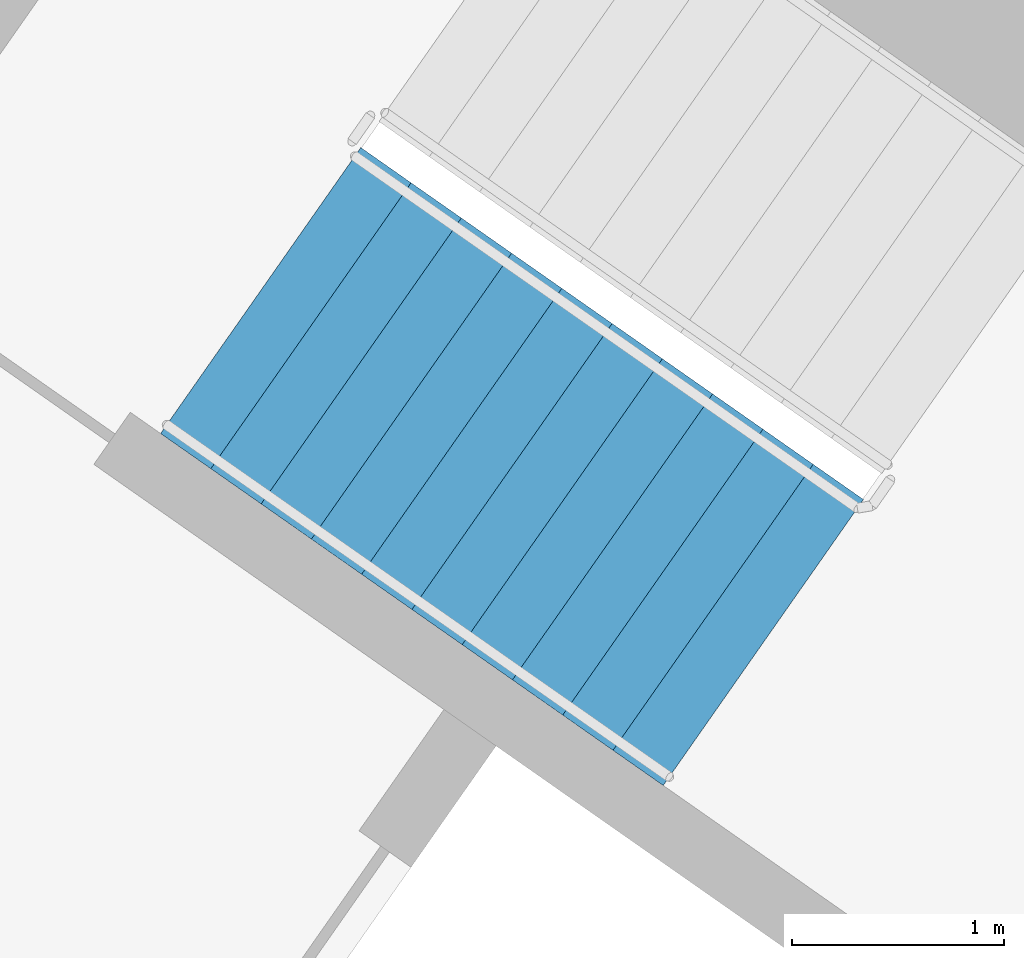
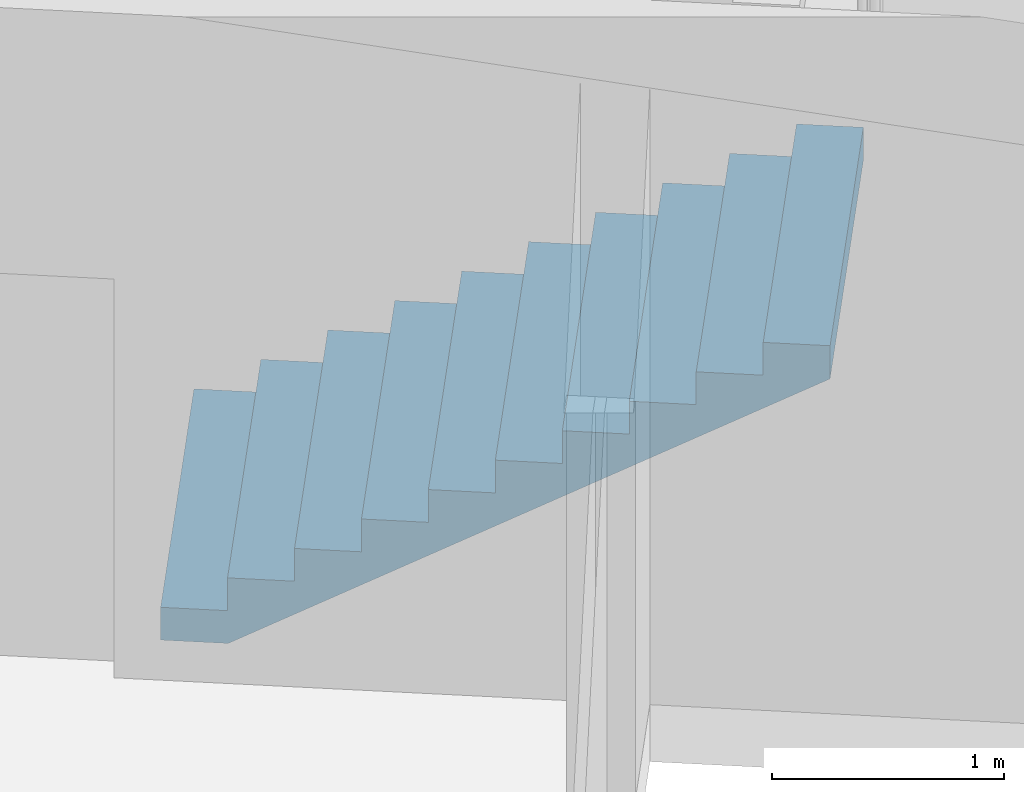
# One storey, part 14 of 30: 1 stair flight, 1 element without a shape of its own.
"""IFC4 building model written with IfcOpenShell, lengths in metres."""

from ifc_helpers import new_model, si_unit, direction, frame, origin, place, context, subcontext, project, spatial, faceted_brep, material, type_object, element, aggregate, save


model = new_model("IFC4")

# Units and contexts
model_context = context("Model", 3, precision=1e-05, world=origin(), true_north=direction((0.0, 1.0)))
body_context = subcontext(model_context, "Body", "Model", "MODEL_VIEW")
ifc_project = project(units=[si_unit("LENGTHUNIT", "METRE"), si_unit("AREAUNIT", "SQUARE_METRE"), si_unit("VOLUMEUNIT", "CUBIC_METRE"), si_unit("PLANEANGLEUNIT", "RADIAN"), si_unit("MASSUNIT", "GRAM", prefix="KILO")], contexts=[model_context])

# Site, building, storey
site_placement = place(None, origin())
site = spatial("IfcSite", under=ifc_project, at=site_placement, CompositionType="ELEMENT")
building_placement = place(site_placement, origin())
building = spatial("IfcBuilding", under=site, at=building_placement, Name="Qamariyya Broadcast Tower", CompositionType="ELEMENT")
storey_placement = place(building_placement, frame((0.0, 0.0, 67.10009765625)))
storey = spatial("IfcBuildingStorey", under=building, at=storey_placement, Name="L13", CompositionType="ELEMENT", Elevation=67.10009765625)

# Stair, stair flight
ifc_material = material(Name="Concrete C50/60", Category="concrete")
stair_type = type_object("IfcStairType", Name="Exit stair 22 risers of 173 mm", PredefinedType="HALF_TURN_STAIR", material=ifc_material)
stair_placement = place(storey_placement, origin())
stair = element("IfcStair", 1, at=stair_placement, inside=storey, type_object=stair_type, Name="L13 Stair W2", PredefinedType="HALF_TURN_STAIR")
stair_flight_type = type_object("IfcStairFlightType", Name="Exit stair flight 11 risers of 173 mm", PredefinedType="STRAIGHT", material=ifc_material)
stair_flight_placement = place(storey_placement, frame((-41.59130859375, -49.15966796875, 0.0), z_axis=(0.0, 0.0, 1.0), x_axis=(0.819152044289, -0.573576436351, 0.0)))
stair_flight = element("IfcStairFlight", 2, at=stair_flight_placement, type_object=stair_flight_type, Name="ST-W2 flight 1", NumberOfRisers=11, NumberOfTreads=10, PredefinedType="STRAIGHT", RiserHeight=0.172727273, TreadLength=0.29, context=body_context, shape_type="Brep", body=[
    faceted_brep([(0.0, 0.824951171875, 0.0), (0.0, 0.824951171875, 0.172607421875), (0.2900390625, 0.824951171875, 0.172607421875), (0.2900390625, 0.824951171875, 0.345458984375), (0.580078125, 0.824951171875, 0.345458984375), (0.580078125, 0.824951171875, 0.51806640625), (0.8701171875, 0.824951171875, 0.51806640625), (0.8701171875, 0.824951171875, 0.69091796875), (1.159912109375, 0.824951171875, 0.69091796875), (1.159912109375, 0.824951171875, 0.863525390625), (1.449951171875, 0.824951171875, 0.863525390625), (1.449951171875, 0.824951171875, 1.036376953125), (1.739990234375, 0.824951171875, 1.036376953125), (1.739990234375, 0.824951171875, 1.208984375), (2.030029296875, 0.824951171875, 1.208984375), (2.030029296875, 0.824951171875, 1.3818359375), (2.320068359375, 0.824951171875, 1.3818359375), (2.320068359375, 0.824951171875, 1.554443359375), (2.610107421875, 0.824951171875, 1.554443359375), (2.610107421875, 0.824951171875, 1.727294921875), (2.89990234375, 0.824951171875, 1.727294921875), (2.89990234375, 0.824951171875, 1.552734375), (0.29296875, 0.824951171875, 0.0), (0.29296875, -0.824951171875, 0.0), (2.89990234375, -0.824951171875, 1.552734375), (2.89990234375, -0.824951171875, 1.727294921875), (2.610107421875, -0.824951171875, 1.727294921875), (2.610107421875, -0.824951171875, 1.554443359375), (2.320068359375, -0.824951171875, 1.554443359375), (2.320068359375, -0.824951171875, 1.3818359375), (2.030029296875, -0.824951171875, 1.3818359375), (2.030029296875, -0.824951171875, 1.208984375), (1.739990234375, -0.824951171875, 1.208984375), (1.739990234375, -0.824951171875, 1.036376953125), (1.449951171875, -0.824951171875, 1.036376953125), (1.449951171875, -0.824951171875, 0.863525390625), (1.159912109375, -0.824951171875, 0.863525390625), (1.159912109375, -0.824951171875, 0.69091796875), (0.8701171875, -0.824951171875, 0.69091796875), (0.8701171875, -0.824951171875, 0.51806640625), (0.580078125, -0.824951171875, 0.51806640625), (0.580078125, -0.824951171875, 0.345458984375), (0.2900390625, -0.824951171875, 0.345458984375), (0.2900390625, -0.824951171875, 0.172607421875), (0.0, -0.824951171875, 0.172607421875), (0.0, -0.824951171875, 0.0), (0.0, 0.10009765625, 0.0), (0.0, 0.086669921875, 0.0), (0.0, 0.0732421875, 0.0), (0.0, 0.06005859375, 0.0), (0.0, 0.046630859375, 0.0), (0.0, 0.033447265625, 0.0), (0.0, 0.02001953125, 0.0), (0.0, 0.006591796875, 0.0), (0.0, -0.006591796875, 0.0), (0.0, -0.02001953125, 0.0), (0.0, -0.033447265625, 0.0), (0.0, -0.046630859375, 0.0), (0.0, -0.06005859375, 0.0), (0.0, -0.0732421875, 0.0), (0.0, -0.086669921875, 0.0), (0.0, -0.10009765625, 0.0), (0.0, -0.10009765625, 0.172607421875), (0.0, -0.086669921875, 0.172607421875), (0.0, -0.0732421875, 0.172607421875), (0.0, -0.06005859375, 0.172607421875), (0.0, -0.046630859375, 0.172607421875), (0.0, -0.033447265625, 0.172607421875), (0.0, -0.02001953125, 0.172607421875), (0.0, -0.006591796875, 0.172607421875), (0.0, 0.006591796875, 0.172607421875), (0.0, 0.02001953125, 0.172607421875), (0.0, 0.033447265625, 0.172607421875), (0.0, 0.046630859375, 0.172607421875), (0.0, 0.06005859375, 0.172607421875), (0.0, 0.0732421875, 0.172607421875), (0.0, 0.086669921875, 0.172607421875), (0.0, 0.10009765625, 0.172607421875), (0.2900390625, -0.10009765625, 0.172607421875), (0.2900390625, -0.086669921875, 0.172607421875), (0.2900390625, -0.0732421875, 0.172607421875), (0.2900390625, -0.06005859375, 0.172607421875), (0.2900390625, -0.046630859375, 0.172607421875), (0.2900390625, -0.033447265625, 0.172607421875), (0.2900390625, -0.02001953125, 0.172607421875), (0.2900390625, -0.006591796875, 0.172607421875), (0.2900390625, 0.006591796875, 0.172607421875), (0.2900390625, 0.02001953125, 0.172607421875), (0.2900390625, 0.033447265625, 0.172607421875), (0.2900390625, 0.046630859375, 0.172607421875), (0.2900390625, 0.06005859375, 0.172607421875), (0.2900390625, 0.0732421875, 0.172607421875), (0.2900390625, 0.086669921875, 0.172607421875), (0.2900390625, 0.10009765625, 0.172607421875), (0.2900390625, -0.10009765625, 0.345458984375), (0.2900390625, -0.086669921875, 0.345458984375), (0.2900390625, -0.0732421875, 0.345458984375), (0.2900390625, -0.06005859375, 0.345458984375), (0.2900390625, -0.046630859375, 0.345458984375), (0.2900390625, -0.033447265625, 0.345458984375), (0.2900390625, -0.02001953125, 0.345458984375), (0.2900390625, -0.006591796875, 0.345458984375), (0.2900390625, 0.006591796875, 0.345458984375), (0.2900390625, 0.02001953125, 0.345458984375), (0.2900390625, 0.033447265625, 0.345458984375), (0.2900390625, 0.046630859375, 0.345458984375), (0.2900390625, 0.06005859375, 0.345458984375), (0.2900390625, 0.0732421875, 0.345458984375), (0.2900390625, 0.086669921875, 0.345458984375), (0.2900390625, 0.10009765625, 0.345458984375), (0.580078125, -0.10009765625, 0.345458984375), (0.580078125, -0.086669921875, 0.345458984375), (0.580078125, -0.0732421875, 0.345458984375), (0.580078125, -0.06005859375, 0.345458984375), (0.580078125, -0.046630859375, 0.345458984375), (0.580078125, -0.033447265625, 0.345458984375), (0.580078125, -0.02001953125, 0.345458984375), (0.580078125, -0.006591796875, 0.345458984375), (0.580078125, 0.006591796875, 0.345458984375), (0.580078125, 0.02001953125, 0.345458984375), (0.580078125, 0.033447265625, 0.345458984375), (0.580078125, 0.046630859375, 0.345458984375), (0.580078125, 0.06005859375, 0.345458984375), (0.580078125, 0.0732421875, 0.345458984375), (0.580078125, 0.086669921875, 0.345458984375), (0.580078125, 0.10009765625, 0.345458984375), (0.580078125, -0.10009765625, 0.51806640625), (0.580078125, -0.086669921875, 0.51806640625), (0.580078125, -0.0732421875, 0.51806640625), (0.580078125, -0.06005859375, 0.51806640625), (0.580078125, -0.046630859375, 0.51806640625), (0.580078125, -0.033447265625, 0.51806640625), (0.580078125, -0.02001953125, 0.51806640625), (0.580078125, -0.006591796875, 0.51806640625), (0.580078125, 0.006591796875, 0.51806640625), (0.580078125, 0.02001953125, 0.51806640625), (0.580078125, 0.033447265625, 0.51806640625), (0.580078125, 0.046630859375, 0.51806640625), (0.580078125, 0.06005859375, 0.51806640625), (0.580078125, 0.0732421875, 0.51806640625), (0.580078125, 0.086669921875, 0.51806640625), (0.580078125, 0.10009765625, 0.51806640625), (0.8701171875, -0.10009765625, 0.51806640625), (0.8701171875, -0.086669921875, 0.51806640625), (0.8701171875, -0.0732421875, 0.51806640625), (0.8701171875, -0.06005859375, 0.51806640625), (0.8701171875, -0.046630859375, 0.51806640625), (0.8701171875, -0.033447265625, 0.51806640625), (0.8701171875, -0.02001953125, 0.51806640625), (0.8701171875, -0.006591796875, 0.51806640625), (0.8701171875, 0.006591796875, 0.51806640625), (0.8701171875, 0.02001953125, 0.51806640625), (0.8701171875, 0.033447265625, 0.51806640625), (0.8701171875, 0.046630859375, 0.51806640625), (0.8701171875, 0.06005859375, 0.51806640625), (0.8701171875, 0.0732421875, 0.51806640625), (0.8701171875, 0.086669921875, 0.51806640625), (0.8701171875, 0.10009765625, 0.51806640625), (0.8701171875, -0.10009765625, 0.69091796875), (0.8701171875, -0.086669921875, 0.69091796875), (0.8701171875, -0.0732421875, 0.69091796875), (0.8701171875, -0.06005859375, 0.69091796875), (0.8701171875, -0.046630859375, 0.69091796875), (0.8701171875, -0.033447265625, 0.69091796875), (0.8701171875, -0.02001953125, 0.69091796875), (0.8701171875, -0.006591796875, 0.69091796875), (0.8701171875, 0.006591796875, 0.69091796875), (0.8701171875, 0.02001953125, 0.69091796875), (0.8701171875, 0.033447265625, 0.69091796875), (0.8701171875, 0.046630859375, 0.69091796875), (0.8701171875, 0.06005859375, 0.69091796875), (0.8701171875, 0.0732421875, 0.69091796875), (0.8701171875, 0.086669921875, 0.69091796875), (0.8701171875, 0.10009765625, 0.69091796875), (1.159912109375, -0.10009765625, 0.69091796875), (1.159912109375, -0.086669921875, 0.69091796875), (1.159912109375, -0.0732421875, 0.69091796875), (1.159912109375, -0.06005859375, 0.69091796875), (1.159912109375, -0.046630859375, 0.69091796875), (1.159912109375, -0.033447265625, 0.69091796875), (1.159912109375, -0.02001953125, 0.69091796875), (1.159912109375, -0.006591796875, 0.69091796875), (1.159912109375, 0.006591796875, 0.69091796875), (1.159912109375, 0.02001953125, 0.69091796875), (1.159912109375, 0.033447265625, 0.69091796875), (1.159912109375, 0.046630859375, 0.69091796875), (1.159912109375, 0.06005859375, 0.69091796875), (1.159912109375, 0.0732421875, 0.69091796875), (1.159912109375, 0.086669921875, 0.69091796875), (1.159912109375, 0.10009765625, 0.69091796875), (1.159912109375, -0.10009765625, 0.863525390625), (1.159912109375, -0.086669921875, 0.863525390625), (1.159912109375, -0.0732421875, 0.863525390625), (1.159912109375, -0.06005859375, 0.863525390625), (1.159912109375, -0.046630859375, 0.863525390625), (1.159912109375, -0.033447265625, 0.863525390625), (1.159912109375, -0.02001953125, 0.863525390625), (1.159912109375, -0.006591796875, 0.863525390625), (1.159912109375, 0.006591796875, 0.863525390625), (1.159912109375, 0.02001953125, 0.863525390625), (1.159912109375, 0.033447265625, 0.863525390625), (1.159912109375, 0.046630859375, 0.863525390625), (1.159912109375, 0.06005859375, 0.863525390625), (1.159912109375, 0.0732421875, 0.863525390625), (1.159912109375, 0.086669921875, 0.863525390625), (1.159912109375, 0.10009765625, 0.863525390625), (1.449951171875, -0.10009765625, 0.863525390625), (1.449951171875, -0.086669921875, 0.863525390625), (1.449951171875, -0.0732421875, 0.863525390625), (1.449951171875, -0.06005859375, 0.863525390625), (1.449951171875, -0.046630859375, 0.863525390625), (1.449951171875, -0.033447265625, 0.863525390625), (1.449951171875, -0.02001953125, 0.863525390625), (1.449951171875, -0.006591796875, 0.863525390625), (1.449951171875, 0.006591796875, 0.863525390625), (1.449951171875, 0.02001953125, 0.863525390625), (1.449951171875, 0.033447265625, 0.863525390625), (1.449951171875, 0.046630859375, 0.863525390625), (1.449951171875, 0.06005859375, 0.863525390625), (1.449951171875, 0.0732421875, 0.863525390625), (1.449951171875, 0.086669921875, 0.863525390625), (1.449951171875, 0.10009765625, 0.863525390625), (1.449951171875, -0.10009765625, 1.036376953125), (1.449951171875, -0.086669921875, 1.036376953125), (1.449951171875, -0.0732421875, 1.036376953125), (1.449951171875, -0.06005859375, 1.036376953125), (1.449951171875, -0.046630859375, 1.036376953125), (1.449951171875, -0.033447265625, 1.036376953125), (1.449951171875, -0.02001953125, 1.036376953125), (1.449951171875, -0.006591796875, 1.036376953125), (1.449951171875, 0.006591796875, 1.036376953125), (1.449951171875, 0.02001953125, 1.036376953125), (1.449951171875, 0.033447265625, 1.036376953125), (1.449951171875, 0.046630859375, 1.036376953125), (1.449951171875, 0.06005859375, 1.036376953125), (1.449951171875, 0.0732421875, 1.036376953125), (1.449951171875, 0.086669921875, 1.036376953125), (1.449951171875, 0.10009765625, 1.036376953125), (1.739990234375, -0.10009765625, 1.036376953125), (1.739990234375, -0.086669921875, 1.036376953125), (1.739990234375, -0.0732421875, 1.036376953125), (1.739990234375, -0.06005859375, 1.036376953125), (1.739990234375, -0.046630859375, 1.036376953125), (1.739990234375, -0.033447265625, 1.036376953125), (1.739990234375, -0.02001953125, 1.036376953125), (1.739990234375, -0.006591796875, 1.036376953125), (1.739990234375, 0.006591796875, 1.036376953125), (1.739990234375, 0.02001953125, 1.036376953125), (1.739990234375, 0.033447265625, 1.036376953125), (1.739990234375, 0.046630859375, 1.036376953125), (1.739990234375, 0.06005859375, 1.036376953125), (1.739990234375, 0.0732421875, 1.036376953125), (1.739990234375, 0.086669921875, 1.036376953125), (1.739990234375, 0.10009765625, 1.036376953125), (1.739990234375, -0.10009765625, 1.208984375), (1.739990234375, -0.086669921875, 1.208984375), (1.739990234375, -0.0732421875, 1.208984375), (1.739990234375, -0.06005859375, 1.208984375), (1.739990234375, -0.046630859375, 1.208984375), (1.739990234375, -0.033447265625, 1.208984375), (1.739990234375, -0.02001953125, 1.208984375), (1.739990234375, -0.006591796875, 1.208984375), (1.739990234375, 0.006591796875, 1.208984375), (1.739990234375, 0.02001953125, 1.208984375), (1.739990234375, 0.033447265625, 1.208984375), (1.739990234375, 0.046630859375, 1.208984375), (1.739990234375, 0.06005859375, 1.208984375), (1.739990234375, 0.0732421875, 1.208984375), (1.739990234375, 0.086669921875, 1.208984375), (1.739990234375, 0.10009765625, 1.208984375), (2.030029296875, -0.10009765625, 1.208984375), (2.030029296875, -0.086669921875, 1.208984375), (2.030029296875, -0.0732421875, 1.208984375), (2.030029296875, -0.06005859375, 1.208984375), (2.030029296875, -0.046630859375, 1.208984375), (2.030029296875, -0.033447265625, 1.208984375), (2.030029296875, -0.02001953125, 1.208984375), (2.030029296875, -0.006591796875, 1.208984375), (2.030029296875, 0.006591796875, 1.208984375), (2.030029296875, 0.02001953125, 1.208984375), (2.030029296875, 0.033447265625, 1.208984375), (2.030029296875, 0.046630859375, 1.208984375), (2.030029296875, 0.06005859375, 1.208984375), (2.030029296875, 0.0732421875, 1.208984375), (2.030029296875, 0.086669921875, 1.208984375), (2.030029296875, 0.10009765625, 1.208984375), (2.030029296875, -0.10009765625, 1.3818359375), (2.030029296875, -0.086669921875, 1.3818359375), (2.030029296875, -0.0732421875, 1.3818359375), (2.030029296875, -0.06005859375, 1.3818359375), (2.030029296875, -0.046630859375, 1.3818359375), (2.030029296875, -0.033447265625, 1.3818359375), (2.030029296875, -0.02001953125, 1.3818359375), (2.030029296875, -0.006591796875, 1.3818359375), (2.030029296875, 0.006591796875, 1.3818359375), (2.030029296875, 0.02001953125, 1.3818359375), (2.030029296875, 0.033447265625, 1.3818359375), (2.030029296875, 0.046630859375, 1.3818359375), (2.030029296875, 0.06005859375, 1.3818359375), (2.030029296875, 0.0732421875, 1.3818359375), (2.030029296875, 0.086669921875, 1.3818359375), (2.030029296875, 0.10009765625, 1.3818359375), (2.320068359375, -0.10009765625, 1.3818359375), (2.320068359375, -0.086669921875, 1.3818359375), (2.320068359375, -0.0732421875, 1.3818359375), (2.320068359375, -0.06005859375, 1.3818359375), (2.320068359375, -0.046630859375, 1.3818359375), (2.320068359375, -0.033447265625, 1.3818359375), (2.320068359375, -0.02001953125, 1.3818359375), (2.320068359375, -0.006591796875, 1.3818359375), (2.320068359375, 0.006591796875, 1.3818359375), (2.320068359375, 0.02001953125, 1.3818359375), (2.320068359375, 0.033447265625, 1.3818359375), (2.320068359375, 0.046630859375, 1.3818359375), (2.320068359375, 0.06005859375, 1.3818359375), (2.320068359375, 0.0732421875, 1.3818359375), (2.320068359375, 0.086669921875, 1.3818359375), (2.320068359375, 0.10009765625, 1.3818359375), (2.320068359375, -0.10009765625, 1.554443359375), (2.320068359375, -0.086669921875, 1.554443359375), (2.320068359375, -0.0732421875, 1.554443359375), (2.320068359375, -0.06005859375, 1.554443359375), (2.320068359375, -0.046630859375, 1.554443359375), (2.320068359375, -0.033447265625, 1.554443359375), (2.320068359375, -0.02001953125, 1.554443359375), (2.320068359375, -0.006591796875, 1.554443359375), (2.320068359375, 0.006591796875, 1.554443359375), (2.320068359375, 0.02001953125, 1.554443359375), (2.320068359375, 0.033447265625, 1.554443359375), (2.320068359375, 0.046630859375, 1.554443359375), (2.320068359375, 0.06005859375, 1.554443359375), (2.320068359375, 0.0732421875, 1.554443359375), (2.320068359375, 0.086669921875, 1.554443359375), (2.320068359375, 0.10009765625, 1.554443359375), (2.610107421875, -0.10009765625, 1.554443359375), (2.610107421875, -0.086669921875, 1.554443359375), (2.610107421875, -0.0732421875, 1.554443359375), (2.610107421875, -0.06005859375, 1.554443359375), (2.610107421875, -0.046630859375, 1.554443359375), (2.610107421875, -0.033447265625, 1.554443359375), (2.610107421875, -0.02001953125, 1.554443359375), (2.610107421875, -0.006591796875, 1.554443359375), (2.610107421875, 0.006591796875, 1.554443359375), (2.610107421875, 0.02001953125, 1.554443359375), (2.610107421875, 0.033447265625, 1.554443359375), (2.610107421875, 0.046630859375, 1.554443359375), (2.610107421875, 0.06005859375, 1.554443359375), (2.610107421875, 0.0732421875, 1.554443359375), (2.610107421875, 0.086669921875, 1.554443359375), (2.610107421875, 0.10009765625, 1.554443359375), (2.610107421875, -0.10009765625, 1.727294921875), (2.610107421875, -0.086669921875, 1.727294921875), (2.610107421875, -0.0732421875, 1.727294921875), (2.610107421875, -0.06005859375, 1.727294921875), (2.610107421875, -0.046630859375, 1.727294921875), (2.610107421875, -0.033447265625, 1.727294921875), (2.610107421875, -0.02001953125, 1.727294921875), (2.610107421875, -0.006591796875, 1.727294921875), (2.610107421875, 0.006591796875, 1.727294921875), (2.610107421875, 0.02001953125, 1.727294921875), (2.610107421875, 0.033447265625, 1.727294921875), (2.610107421875, 0.046630859375, 1.727294921875), (2.610107421875, 0.06005859375, 1.727294921875), (2.610107421875, 0.0732421875, 1.727294921875), (2.610107421875, 0.086669921875, 1.727294921875), (2.610107421875, 0.10009765625, 1.727294921875), (2.89990234375, -0.10009765625, 1.727294921875), (2.89990234375, -0.086669921875, 1.727294921875), (2.89990234375, -0.0732421875, 1.727294921875), (2.89990234375, -0.06005859375, 1.727294921875), (2.89990234375, -0.046630859375, 1.727294921875), (2.89990234375, -0.033447265625, 1.727294921875), (2.89990234375, -0.02001953125, 1.727294921875), (2.89990234375, -0.006591796875, 1.727294921875), (2.89990234375, 0.006591796875, 1.727294921875), (2.89990234375, 0.02001953125, 1.727294921875), (2.89990234375, 0.033447265625, 1.727294921875), (2.89990234375, 0.046630859375, 1.727294921875), (2.89990234375, 0.06005859375, 1.727294921875), (2.89990234375, 0.0732421875, 1.727294921875), (2.89990234375, 0.086669921875, 1.727294921875), (2.89990234375, 0.10009765625, 1.727294921875), (2.89990234375, -0.10009765625, 1.552734375), (2.89990234375, -0.086669921875, 1.552734375), (2.89990234375, -0.0732421875, 1.552734375), (2.89990234375, -0.06005859375, 1.552734375), (2.89990234375, -0.046630859375, 1.552734375), (2.89990234375, -0.033447265625, 1.552734375), (2.89990234375, -0.02001953125, 1.552734375), (2.89990234375, -0.006591796875, 1.552734375), (2.89990234375, 0.006591796875, 1.552734375), (2.89990234375, 0.02001953125, 1.552734375), (2.89990234375, 0.033447265625, 1.552734375), (2.89990234375, 0.046630859375, 1.552734375), (2.89990234375, 0.06005859375, 1.552734375), (2.89990234375, 0.0732421875, 1.552734375), (2.89990234375, 0.086669921875, 1.552734375), (2.89990234375, 0.10009765625, 1.552734375), (0.29296875, -0.10009765625, 0.0), (0.29296875, -0.086669921875, 0.0), (0.29296875, -0.0732421875, 0.0), (0.29296875, -0.06005859375, 0.0), (0.29296875, -0.046630859375, 0.0), (0.29296875, -0.033447265625, 0.0), (0.29296875, -0.02001953125, 0.0), (0.29296875, -0.006591796875, 0.0), (0.29296875, 0.006591796875, 0.0), (0.29296875, 0.02001953125, 0.0), (0.29296875, 0.033447265625, 0.0), (0.29296875, 0.046630859375, 0.0), (0.29296875, 0.06005859375, 0.0), (0.29296875, 0.0732421875, 0.0), (0.29296875, 0.086669921875, 0.0), (0.29296875, 0.10009765625, 0.0)], [[[0, 1, 2, 3, 4, 5, 6, 7, 8, 9, 10, 11, 12, 13, 14, 15, 16, 17, 18, 19, 20, 21, 22]], [[23, 24, 25, 26, 27, 28, 29, 30, 31, 32, 33, 34, 35, 36, 37, 38, 39, 40, 41, 42, 43, 44, 45]], [[0, 46, 47, 48, 49, 50, 51, 52, 53, 54, 55, 56, 57, 58, 59, 60, 61, 45, 44, 62, 63, 64, 65, 66, 67, 68, 69, 70, 71, 72, 73, 74, 75, 76, 77, 1]], [[1, 77, 76, 75, 74, 73, 72, 71, 70, 69, 68, 67, 66, 65, 64, 63, 62, 44, 43, 78, 79, 80, 81, 82, 83, 84, 85, 86, 87, 88, 89, 90, 91, 92, 93, 2]], [[2, 93, 92, 91, 90, 89, 88, 87, 86, 85, 84, 83, 82, 81, 80, 79, 78, 43, 42, 94, 95, 96, 97, 98, 99, 100, 101, 102, 103, 104, 105, 106, 107, 108, 109, 3]], [[3, 109, 108, 107, 106, 105, 104, 103, 102, 101, 100, 99, 98, 97, 96, 95, 94, 42, 41, 110, 111, 112, 113, 114, 115, 116, 117, 118, 119, 120, 121, 122, 123, 124, 125, 4]], [[4, 125, 124, 123, 122, 121, 120, 119, 118, 117, 116, 115, 114, 113, 112, 111, 110, 41, 40, 126, 127, 128, 129, 130, 131, 132, 133, 134, 135, 136, 137, 138, 139, 140, 141, 5]], [[5, 141, 140, 139, 138, 137, 136, 135, 134, 133, 132, 131, 130, 129, 128, 127, 126, 40, 39, 142, 143, 144, 145, 146, 147, 148, 149, 150, 151, 152, 153, 154, 155, 156, 157, 6]], [[6, 157, 156, 155, 154, 153, 152, 151, 150, 149, 148, 147, 146, 145, 144, 143, 142, 39, 38, 158, 159, 160, 161, 162, 163, 164, 165, 166, 167, 168, 169, 170, 171, 172, 173, 7]], [[7, 173, 172, 171, 170, 169, 168, 167, 166, 165, 164, 163, 162, 161, 160, 159, 158, 38, 37, 174, 175, 176, 177, 178, 179, 180, 181, 182, 183, 184, 185, 186, 187, 188, 189, 8]], [[8, 189, 188, 187, 186, 185, 184, 183, 182, 181, 180, 179, 178, 177, 176, 175, 174, 37, 36, 190, 191, 192, 193, 194, 195, 196, 197, 198, 199, 200, 201, 202, 203, 204, 205, 9]], [[9, 205, 204, 203, 202, 201, 200, 199, 198, 197, 196, 195, 194, 193, 192, 191, 190, 36, 35, 206, 207, 208, 209, 210, 211, 212, 213, 214, 215, 216, 217, 218, 219, 220, 221, 10]], [[10, 221, 220, 219, 218, 217, 216, 215, 214, 213, 212, 211, 210, 209, 208, 207, 206, 35, 34, 222, 223, 224, 225, 226, 227, 228, 229, 230, 231, 232, 233, 234, 235, 236, 237, 11]], [[11, 237, 236, 235, 234, 233, 232, 231, 230, 229, 228, 227, 226, 225, 224, 223, 222, 34, 33, 238, 239, 240, 241, 242, 243, 244, 245, 246, 247, 248, 249, 250, 251, 252, 253, 12]], [[12, 253, 252, 251, 250, 249, 248, 247, 246, 245, 244, 243, 242, 241, 240, 239, 238, 33, 32, 254, 255, 256, 257, 258, 259, 260, 261, 262, 263, 264, 265, 266, 267, 268, 269, 13]], [[13, 269, 268, 267, 266, 265, 264, 263, 262, 261, 260, 259, 258, 257, 256, 255, 254, 32, 31, 270, 271, 272, 273, 274, 275, 276, 277, 278, 279, 280, 281, 282, 283, 284, 285, 14]], [[14, 285, 284, 283, 282, 281, 280, 279, 278, 277, 276, 275, 274, 273, 272, 271, 270, 31, 30, 286, 287, 288, 289, 290, 291, 292, 293, 294, 295, 296, 297, 298, 299, 300, 301, 15]], [[15, 301, 300, 299, 298, 297, 296, 295, 294, 293, 292, 291, 290, 289, 288, 287, 286, 30, 29, 302, 303, 304, 305, 306, 307, 308, 309, 310, 311, 312, 313, 314, 315, 316, 317, 16]], [[16, 317, 316, 315, 314, 313, 312, 311, 310, 309, 308, 307, 306, 305, 304, 303, 302, 29, 28, 318, 319, 320, 321, 322, 323, 324, 325, 326, 327, 328, 329, 330, 331, 332, 333, 17]], [[17, 333, 332, 331, 330, 329, 328, 327, 326, 325, 324, 323, 322, 321, 320, 319, 318, 28, 27, 334, 335, 336, 337, 338, 339, 340, 341, 342, 343, 344, 345, 346, 347, 348, 349, 18]], [[18, 349, 348, 347, 346, 345, 344, 343, 342, 341, 340, 339, 338, 337, 336, 335, 334, 27, 26, 350, 351, 352, 353, 354, 355, 356, 357, 358, 359, 360, 361, 362, 363, 364, 365, 19]], [[19, 365, 364, 363, 362, 361, 360, 359, 358, 357, 356, 355, 354, 353, 352, 351, 350, 26, 25, 366, 367, 368, 369, 370, 371, 372, 373, 374, 375, 376, 377, 378, 379, 380, 381, 20]], [[20, 381, 380, 379, 378, 377, 376, 375, 374, 373, 372, 371, 370, 369, 368, 367, 366, 25, 24, 382, 383, 384, 385, 386, 387, 388, 389, 390, 391, 392, 393, 394, 395, 396, 397, 21]], [[21, 397, 396, 395, 394, 393, 392, 391, 390, 389, 388, 387, 386, 385, 384, 383, 382, 24, 23, 398, 399, 400, 401, 402, 403, 404, 405, 406, 407, 408, 409, 410, 411, 412, 413, 22]], [[22, 413, 412, 411, 410, 409, 408, 407, 406, 405, 404, 403, 402, 401, 400, 399, 398, 23, 45, 61, 60, 59, 58, 57, 56, 55, 54, 53, 52, 51, 50, 49, 48, 47, 46, 0]]]),
])
aggregate(stair, [stair_flight])

save(model, "model.ifc")
